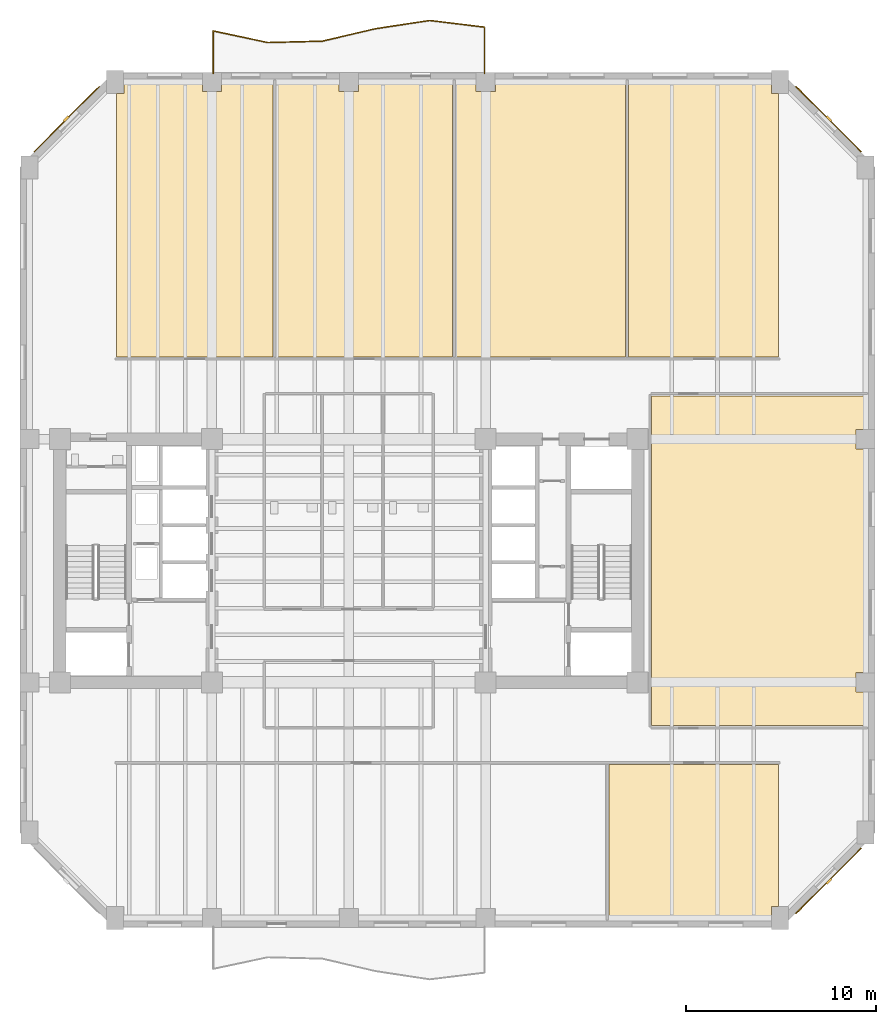
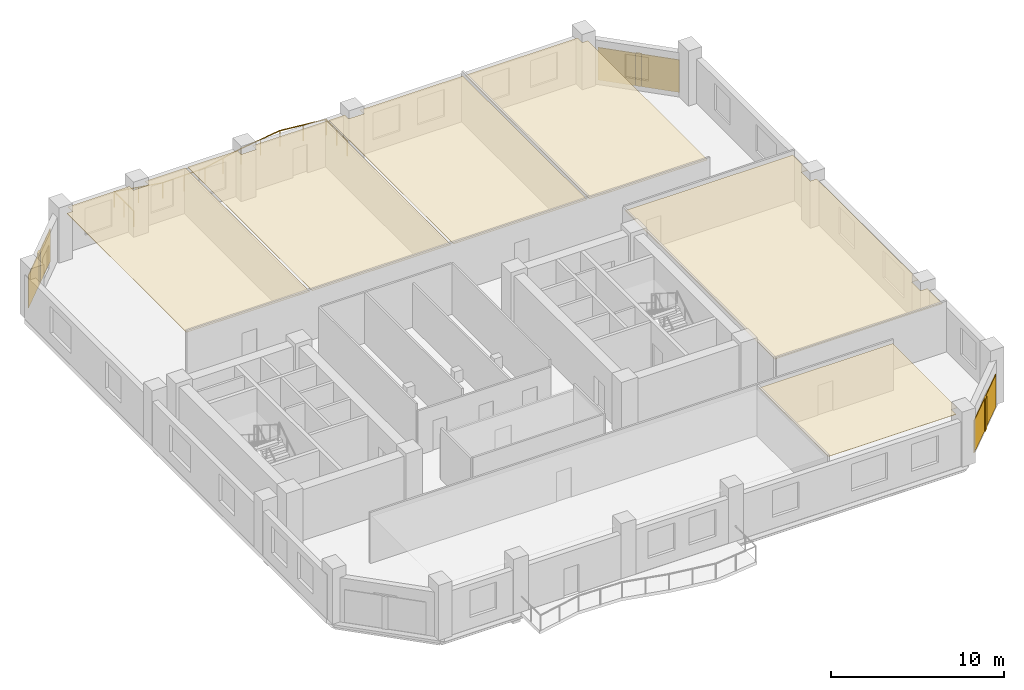
# One storey, part 8 of 9: 9 coverings, 3 shading devices, 1 railing.
"""IFC4 building model written with IfcOpenShell, lengths in metres."""

import ifcopenshell
import ifcopenshell.guid

model = None  # the IFC model being written
_history = None  # IfcOwnerHistory: only IFC2X3 demands one
_inside = {}  # id of a spatial element -> (the spatial element, [elements in it])
_under = {}  # id of a project, library or spatial element -> (it, [spatial elements below it])
_declared = {}  # id of a project -> (the project, [libraries it declares])
_typed = {}  # id of a type object -> (the type object, [elements of that type])
_made_of = {}  # id of a material, layer set ... -> (it, [elements and type objects made of it])


def new_model(schema):
    """Start an empty IFC model of exactly this schema.

    Asked for "IFC4X3", IfcOpenShell would pick the latest addendum, in which some entities
    have other attributes; the version numbers below select the first issue.
    IFC2X3 requires an IfcOwnerHistory on every rooted entity: one is made here for all.
    """
    global model, _history
    if schema == "IFC4X3":
        model = ifcopenshell.file(schema_version=(4, 3, 0, 0))
    else:
        model = ifcopenshell.file(schema=schema)
    _inside.clear()
    _under.clear()
    _declared.clear()
    _typed.clear()
    _made_of.clear()
    _history = None
    if model.schema == "IFC2X3":
        org = make("IfcOrganization", Name="unknown")
        user = make(
            "IfcPersonAndOrganization",
            ThePerson=make("IfcPerson", FamilyName="unknown"),
            TheOrganization=org,
        )
        app = make(
            "IfcApplication",
            ApplicationDeveloper=org,
            Version="unknown",
            ApplicationFullName="unknown",
            ApplicationIdentifier="unknown",
        )
        _history = make(
            "IfcOwnerHistory",
            OwningUser=user,
            OwningApplication=app,
            ChangeAction="ADDED",
            CreationDate=0,
        )
    return model


def make(cls, **values):
    """One entity of the class cls with the attributes given. An attribute that is None is left unset."""
    return model.create_entity(
        cls, **{name: value for name, value in values.items() if value is not None}
    )


def rooted(cls, **values):
    """An entity with a GlobalId (a new one), such as an element, a storey or a relation."""
    return make(cls, GlobalId=ifcopenshell.guid.new(), OwnerHistory=_history, **values)


def si_unit(unit_type, name, prefix=None):
    """IfcSIUnit, for example si_unit("LENGTHUNIT", "METRE", prefix="MILLI")."""
    return make("IfcSIUnit", UnitType=unit_type, Prefix=prefix, Name=name)


def assignment(units):
    """IfcUnitAssignment: the units of a project."""
    return None if units is None else make("IfcUnitAssignment", Units=units)


def point(xyz):
    """IfcCartesianPoint."""
    return None if xyz is None else make("IfcCartesianPoint", Coordinates=xyz)


def direction(xyz):
    """IfcDirection."""
    return None if xyz is None else make("IfcDirection", DirectionRatios=xyz)


def frame(location, z_axis=None, x_axis=None):
    """IfcAxis2Placement3D, a coordinate frame: its origin and axes. An axis left out is left unset."""
    return make(
        "IfcAxis2Placement3D",
        Location=point(location),
        Axis=direction(z_axis),
        RefDirection=direction(x_axis),
    )


def frame_2d(location, x_axis=None):
    """IfcAxis2Placement2D, a coordinate frame in the plane: its origin and x axis."""
    return make(
        "IfcAxis2Placement2D", Location=point(location), RefDirection=direction(x_axis)
    )


def origin():
    """The frame at (0, 0, 0) with its axes left unset."""
    return frame((0.0, 0.0, 0.0))


def origin_2d():
    """The frame at (0, 0) in the plane with its x axis left unset."""
    return frame_2d((0.0, 0.0))


def place(relative_to, where):
    """IfcLocalPlacement: puts the frame where relative to a parent placement (None: the world)."""
    return make(
        "IfcLocalPlacement", PlacementRelTo=relative_to, RelativePlacement=where
    )


def context(
    kind, dimensions, precision=None, world=None, true_north=None, identifier=None
):
    """IfcGeometricRepresentationContext, for example the 3D "Model" context."""
    return make(
        "IfcGeometricRepresentationContext",
        ContextIdentifier=identifier,
        ContextType=kind,
        CoordinateSpaceDimension=dimensions,
        Precision=precision,
        WorldCoordinateSystem=world,
        TrueNorth=true_north,
    )


def subcontext(parent, identifier, kind, view, scale=None):
    """IfcGeometricRepresentationSubContext, for example "Body" below "Model"."""
    return make(
        "IfcGeometricRepresentationSubContext",
        ContextIdentifier=identifier,
        ContextType=kind,
        ParentContext=parent,
        TargetScale=scale,
        TargetView=view,
    )


def project(units=None, contexts=None):
    """IfcProject with its units and contexts."""
    return rooted(
        "IfcProject",
        Name="project",
        RepresentationContexts=contexts,
        UnitsInContext=assignment(units),
    )


def spatial(cls, under=None, at=None, **own):
    """A site, building, storey or space (cls), placed at a placement, below another one or the project."""
    s = rooted(cls, ObjectPlacement=at, **own)
    if under is not None:
        _under.setdefault(under.id(), (under, []))[1].append(s)
    return s


def polyline(points):
    """IfcPolyline through the points."""
    return make("IfcPolyline", Points=[point(p) for p in points])


def profile(cls, at=None, kind="AREA", **sizes):
    """A parametric profile (cls). Its sizes go by their IFC names, for example OverallWidth=200.0."""
    return make(cls, ProfileType=kind, Position=at, **sizes)


def rectangle(**sizes):
    """IfcRectangleProfileDef."""
    return profile("IfcRectangleProfileDef", **sizes)


def circle(**sizes):
    """IfcCircleProfileDef."""
    return profile("IfcCircleProfileDef", **sizes)


def outline(outer, holes=None, kind="AREA"):
    """IfcArbitraryClosedProfileDef: a profile drawn as a closed curve; with holes, ...WithVoids."""
    if holes is None:
        return make("IfcArbitraryClosedProfileDef", ProfileType=kind, OuterCurve=outer)
    return make(
        "IfcArbitraryProfileDefWithVoids",
        ProfileType=kind,
        OuterCurve=outer,
        InnerCurves=holes,
    )


def extrude(swept, where, along, depth):
    """IfcExtrudedAreaSolid: the profile swept, set in the frame where, extruded along a direction by depth."""
    return make(
        "IfcExtrudedAreaSolid",
        SweptArea=swept,
        Position=where,
        ExtrudedDirection=direction(along),
        Depth=depth,
    )


def shape(context_of_items, identifier, shape_type, items):
    """IfcShapeRepresentation: the items that make up one representation, for example the "Body"."""
    return make(
        "IfcShapeRepresentation",
        ContextOfItems=context_of_items,
        RepresentationIdentifier=identifier,
        RepresentationType=shape_type,
        Items=items,
    )


def material(Name=None, Category=None):
    """IfcMaterial."""
    return make("IfcMaterial", Name=Name, Category=Category)


def layer(
    of_material, thickness, ventilated=None, Name=None, Category=None, Priority=None
):
    """IfcMaterialLayer: one layer of a wall or slab, of a material (None: an air gap)."""
    return make(
        "IfcMaterialLayer",
        Material=of_material,
        LayerThickness=thickness,
        IsVentilated=ventilated,
        Name=Name,
        Category=Category,
        Priority=Priority,
    )


def layer_set(layers, Name=None):
    """IfcMaterialLayerSet."""
    return make("IfcMaterialLayerSet", MaterialLayers=layers, LayerSetName=Name)


def made_of(thing, what):
    """Note that an element or type object is made of a material, layer set ...; save() writes the relation."""
    if what is not None:
        _made_of.setdefault(what.id(), (what, []))[1].append(thing)
    return thing


def type_object(cls, material=None, **own):
    """A type object (cls), such as IfcWallType, which elements share."""
    return made_of(rooted(cls, **own), material)


def element(
    cls,
    number,
    at=None,
    inside=None,
    cuts=None,
    type_object=None,
    material=None,
    context=None,
    identifier="Body",
    shape_type=None,
    held_by="IfcProductDefinitionShape",
    body=None,
    shapes=None,
    **own,
):
    """One element of the class cls, such as IfcWall. Its Tag is "e" and its number.

    at: its placement. inside: the storey or other place that contains it. cuts: it is an
    opening in that element (IfcRelVoidsElement). A single representation is given by context,
    identifier, shape_type and body (its items); several are given by shapes. held_by: the class
    of the entity that holds the representations. save() writes the other relations.
    """
    e = rooted(cls, Tag="e%d" % number, ObjectPlacement=at, **own)
    if body is not None:
        shapes = [shape(context, identifier, shape_type, body)]
    if shapes is not None:
        e.Representation = make(held_by, Representations=shapes)
    if inside is not None:
        _inside.setdefault(inside.id(), (inside, []))[1].append(e)
    if cuts is not None:
        rooted(
            "IfcRelVoidsElement", RelatingBuildingElement=cuts, RelatedOpeningElement=e
        )
    if type_object is not None:
        _typed.setdefault(type_object.id(), (type_object, []))[1].append(e)
    return made_of(e, material)


def aggregate(whole, parts):
    """IfcRelAggregates: a whole, such as a stair, and the parts it consists of."""
    return rooted("IfcRelAggregates", RelatingObject=whole, RelatedObjects=parts)


def save(model, path):
    """Write the relations noted so far, then the file.

    IfcRelAggregates (storeys below a building ...), IfcRelContainedInSpatialStructure (elements
    in a storey), IfcRelDefinesByType, IfcRelAssociatesMaterial and IfcRelDeclares: one each for
    every whole, place, type object, material and project.
    """
    for whole, parts in _under.values():
        aggregate(whole, parts)
    for where, things in _inside.values():
        rooted(
            "IfcRelContainedInSpatialStructure",
            RelatedElements=things,
            RelatingStructure=where,
        )
    for kind, things in _typed.values():
        rooted("IfcRelDefinesByType", RelatedObjects=things, RelatingType=kind)
    for what, things in _made_of.values():
        rooted("IfcRelAssociatesMaterial", RelatedObjects=things, RelatingMaterial=what)
    for by, libraries in _declared.values():
        rooted("IfcRelDeclares", RelatingContext=by, RelatedDefinitions=libraries)
    model.write(path)


model = new_model("IFC4")

# Units and contexts
model_context = context("Model", 3, precision=1e-05, world=origin(), true_north=direction((0.0, 1.0)))
body_context = subcontext(model_context, "Body", "Model", "MODEL_VIEW")
ifc_project = project(units=[si_unit("LENGTHUNIT", "METRE"), si_unit("AREAUNIT", "SQUARE_METRE"), si_unit("VOLUMEUNIT", "CUBIC_METRE"), si_unit("PLANEANGLEUNIT", "RADIAN"), si_unit("MASSUNIT", "GRAM", prefix="KILO")], contexts=[model_context])

# Site, building, storey
site_placement = place(None, origin())
site = spatial("IfcSite", under=ifc_project, at=site_placement, CompositionType="ELEMENT")
building_placement = place(site_placement, origin())
building = spatial("IfcBuilding", under=site, at=building_placement, Name="Kranthara Brick Stack", CompositionType="ELEMENT")
storey_placement = place(building_placement, frame((0.0, 0.0, 78.89990234375)))
storey = spatial("IfcBuildingStorey", under=building, at=storey_placement, Name="L19", CompositionType="ELEMENT", Elevation=78.89990234375)

# Coverings
ifc_material_1 = material(Name="Perforated mineral-fibre acoustic ceiling tile", Category="other")
ifc_layer_1 = layer(ifc_material_1, 0.02490234375)
ifc_layer_set_1 = layer_set([ifc_layer_1], Name="Perforated mineral-fibre acoustic ceiling tile")
covering_type_1 = type_object("IfcCoveringType", Name="COV-CEIL-ACOUSTIC", PredefinedType="CEILING", material=ifc_layer_set_1)
covering_1_placement = place(storey_placement, frame((0.0, 0.0, 3.330078125)))
element("IfcCovering", 1, at=covering_1_placement, inside=storey, type_object=covering_type_1, Name="L19 L19 Staff Pantry 2 Acoustic Ceiling", PredefinedType="CEILING", context=body_context, shape_type="SweptSolid", body=[
    extrude(outline(polyline([(41.679931640625, 8.469970703125), (41.679931640625, 16.47998046875), (50.6201171875, 16.47998046875), (50.6201171875, 9.010009765625), (50.239990234375, 9.010009765625), (50.239990234375, 8.469970703125), (41.679931640625, 8.469970703125)])), origin(), (0.0, 0.0, 1.0), 0.02490234375),
])
covering_2_placement = place(storey_placement, frame((0.0, 0.0, 3.330078125)))
element("IfcCovering", 2, at=covering_2_placement, inside=storey, type_object=covering_type_1, Name="L19 L19 Executive Cellular Office 1 Acoustic Ceiling", PredefinedType="CEILING", context=body_context, shape_type="SweptSolid", body=[
    extrude(outline(polyline([(24.02001953125, 37.919921875), (15.780029296875, 37.919921875), (15.780029296875, 51.7900390625), (16.159912109375, 51.7900390625), (16.159912109375, 52.330078125), (20.2900390625, 52.330078125), (20.2900390625, 51.889892578125), (21.31005859375, 51.889892578125), (21.31005859375, 52.330078125), (24.02001953125, 52.330078125), (24.02001953125, 37.919921875)])), origin(), (0.0, 0.0, 1.0), 0.02490234375),
])
covering_3_placement = place(storey_placement, frame((0.0, 0.0, 3.330078125)))
element("IfcCovering", 3, at=covering_3_placement, inside=storey, type_object=covering_type_1, Name="L19 L19 Meeting Room 2 Acoustic Ceiling", PredefinedType="CEILING", context=body_context, shape_type="SweptSolid", body=[
    extrude(outline(polyline([(33.469970703125, 52.330078125), (33.469970703125, 37.919921875), (24.179931640625, 37.919921875), (24.179931640625, 52.330078125), (27.489990234375, 52.330078125), (27.489990234375, 51.889892578125), (28.510009765625, 51.889892578125), (28.510009765625, 52.330078125), (33.469970703125, 52.330078125)])), origin(), (0.0, 0.0, 1.0), 0.02490234375),
])
covering_4_placement = place(storey_placement, frame((0.0, 0.0, 3.330078125)))
element("IfcCovering", 4, at=covering_4_placement, inside=storey, type_object=covering_type_1, Name="L19 L19 Boardroom 3 Acoustic Ceiling", PredefinedType="CEILING", context=body_context, shape_type="SweptSolid", body=[
    extrude(outline(polyline([(42.570068359375, 52.330078125), (42.570068359375, 37.919921875), (33.6298828125, 37.919921875), (33.6298828125, 52.330078125), (34.68994140625, 52.330078125), (34.68994140625, 51.889892578125), (35.7099609375, 51.889892578125), (35.7099609375, 52.330078125), (42.570068359375, 52.330078125)])), origin(), (0.0, 0.0, 1.0), 0.02490234375),
])
covering_5_placement = place(storey_placement, frame((0.0, 0.0, 3.330078125)))
element("IfcCovering", 5, at=covering_5_placement, inside=storey, type_object=covering_type_1, Name="L19 L19 Collaboration Lounge 4 Acoustic Ceiling", PredefinedType="CEILING", context=body_context, shape_type="SweptSolid", body=[
    extrude(outline(polyline([(50.6201171875, 37.919921875), (42.72998046875, 37.919921875), (42.72998046875, 52.330078125), (50.239990234375, 52.330078125), (50.239990234375, 51.7900390625), (50.6201171875, 51.7900390625), (50.6201171875, 37.919921875)])), origin(), (0.0, 0.0, 1.0), 0.02490234375),
])
covering_6_placement = place(storey_placement, frame((0.0, 0.0, 3.330078125)))
element("IfcCovering", 6, at=covering_6_placement, inside=storey, type_object=covering_type_1, Name="L19 L19 East Client Office 1 Acoustic Ceiling", PredefinedType="CEILING", context=body_context, shape_type="SweptSolid", body=[
    extrude(outline(polyline([(43.919921875, 18.5400390625), (43.919921875, 35.860107421875), (55.1298828125, 35.860107421875), (55.1298828125, 34.110107421875), (54.68994140625, 34.110107421875), (54.68994140625, 33.090087890625), (55.1298828125, 33.090087890625), (55.1298828125, 21.31005859375), (54.68994140625, 21.31005859375), (54.68994140625, 20.2900390625), (55.1298828125, 20.2900390625), (55.1298828125, 18.5400390625), (43.919921875, 18.5400390625)])), origin(), (0.0, 0.0, 1.0), 0.02490234375),
])
ifc_material_2 = material(Name="Warm buff kiln-fired brick slip rainscreen", Category="masonry")
ifc_layer_2 = layer(ifc_material_2, 0.044921875)
ifc_layer_set_2 = layer_set([ifc_layer_2], Name="Warm buff kiln-fired brick slip rainscreen")
covering_type_2 = type_object("IfcCoveringType", Name="COV-CLAD-BRICK", PredefinedType="CLADDING", material=ifc_layer_set_2)
for number, where, z_axis, x_axis, name in (
    (7, (13.156494140625, 50.443603515625, 0.05029296875), (0.0, 0.0, 1.0), (0.707106781187, 0.707106781187, 0.0), "L19 Chamfer Brick Rainscreen Cladding NW"),
    (8, (53.243408203125, 50.443603515625, 0.05029296875), (0.0, 0.0, 1.0), (0.707106781187, -0.707106781187, 0.0), "L19 Chamfer Brick Rainscreen Cladding NE"),
    (9, (53.243408203125, 10.3564453125, 0.05029296875), (0.0, 0.0, 1.0), (-0.707106781187, -0.707106781187, 0.0), "L19 Chamfer Brick Rainscreen Cladding SE"),
):
    element("IfcCovering", number, at=place(storey_placement, frame(where, z_axis=z_axis, x_axis=x_axis)), inside=storey, type_object=covering_type_2, Name=name, PredefinedType="CLADDING", context=body_context, shape_type="SweptSolid", body=[
        extrude(rectangle(XDim=4.876953125, YDim=0.044921875, at=origin_2d()), origin(), (0.0, 0.0, 1.0), 2.300048828125),
    ])

# Railing
ifc_material_3 = material(Name="Bronze anodised aluminium and laminated glass balustrade", Category="aluminium")
railing_type = type_object("IfcRailingType", Name="RL-BALC-1120", PredefinedType="BALUSTRADE", material=ifc_material_3)
railing_placement = place(storey_placement, frame((20.860107421875, 52.840087890625, 0.0)))
element("IfcRailing", 10, at=railing_placement, inside=storey, type_object=railing_type, Name="L19 North Rippling Balcony Balustrade", PredefinedType="BALUSTRADE", context=body_context, shape_type="SweptSolid", body=[
    extrude(circle(Radius=0.02392578125, at=origin_2d()), frame((0.0, 0.0, 1.09619140625), z_axis=(-0.000108731107, 0.999999994089, 0.0), x_axis=(-0.999999994089, -0.000108731107, 0.0)), (0.0, 0.0, 1.0), 2.245361328125),
    extrude(circle(Radius=0.02392578125, at=origin_2d()), frame((-0.000244140625, 2.245361328125, 1.09619140625), z_axis=(0.978105928985, -0.208107644465, 0.0), x_axis=(0.208107644465, 0.978105928985, 0.0)), (0.0, 0.0, 1.0), 2.944580078125),
    extrude(circle(Radius=0.02392578125, at=origin_2d()), frame((2.8798828125, 1.632568359375, 1.09619140625), z_axis=(0.999661558915, 0.02601475787, 0.0), x_axis=(-0.02601475787, 0.999661558915, 0.0)), (0.0, 0.0, 1.0), 2.881103515625),
    extrude(circle(Radius=0.02392578125, at=origin_2d()), frame((5.760009765625, 1.70751953125, 1.09619140625), z_axis=(0.973453213745, 0.228886086621, 0.0), x_axis=(-0.228886086621, 0.973453213745, 0.0)), (0.0, 0.0, 1.0), 2.841552734375),
    extrude(circle(Radius=0.02392578125, at=origin_2d()), frame((8.526123046875, 2.35791015625, 1.09619140625), z_axis=(0.988711736474, 0.14983024447, 0.0), x_axis=(-0.14983024447, 0.988711736474, 0.0)), (0.0, 0.0, 1.0), 2.908447265625),
    extrude(circle(Radius=0.02392578125, at=origin_2d()), frame((11.40185546875, 2.793701171875, 1.09619140625), z_axis=(0.99262365311, -0.121236476716, 0.0), x_axis=(0.121236476716, 0.99262365311, 0.0)), (0.0, 0.0, 1.0), 2.89990234375),
    extrude(circle(Radius=0.02392578125, at=origin_2d()), frame((14.2802734375, 2.442138671875, 1.09619140625), z_axis=(-0.000199940014, -0.999999980012, 0.0), x_axis=(0.999999980012, -0.000199940014, 0.0)), (0.0, 0.0, 1.0), 2.442138671875),
    extrude(circle(Radius=0.02099609375, at=origin_2d()), origin(), (0.0, 0.0, 1.0), 1.072021484375),
    extrude(circle(Radius=0.02099609375, at=origin_2d()), frame((0.0, 1.12255859375, 0.0)), (0.0, 0.0, 1.0), 1.072021484375),
    extrude(circle(Radius=0.02099609375, at=origin_2d()), frame((-0.000244140625, 2.245361328125, 0.0)), (0.0, 0.0, 1.0), 1.072021484375),
    extrude(circle(Radius=0.02099609375, at=origin_2d()), frame((1.43994140625, 1.93896484375, 0.0)), (0.0, 0.0, 1.0), 1.072021484375),
    extrude(circle(Radius=0.02099609375, at=origin_2d()), frame((2.8798828125, 1.632568359375, 0.0)), (0.0, 0.0, 1.0), 1.072021484375),
    extrude(circle(Radius=0.02099609375, at=origin_2d()), frame((4.31982421875, 1.669921875, 0.0)), (0.0, 0.0, 1.0), 1.072021484375),
    extrude(circle(Radius=0.02099609375, at=origin_2d()), frame((5.760009765625, 1.70751953125, 0.0)), (0.0, 0.0, 1.0), 1.072021484375),
    extrude(circle(Radius=0.02099609375, at=origin_2d()), frame((7.14306640625, 2.03271484375, 0.0)), (0.0, 0.0, 1.0), 1.072021484375),
    extrude(circle(Radius=0.02099609375, at=origin_2d()), frame((8.526123046875, 2.35791015625, 0.0)), (0.0, 0.0, 1.0), 1.072021484375),
    extrude(circle(Radius=0.02099609375, at=origin_2d()), frame((9.9638671875, 2.57568359375, 0.0)), (0.0, 0.0, 1.0), 1.072021484375),
    extrude(circle(Radius=0.02099609375, at=origin_2d()), frame((11.40185546875, 2.793701171875, 0.0)), (0.0, 0.0, 1.0), 1.072021484375),
    extrude(circle(Radius=0.02099609375, at=origin_2d()), frame((12.841064453125, 2.617919921875, 0.0)), (0.0, 0.0, 1.0), 1.072021484375),
    extrude(circle(Radius=0.02099609375, at=origin_2d()), frame((14.2802734375, 2.442138671875, 0.0)), (0.0, 0.0, 1.0), 1.072021484375),
    extrude(circle(Radius=0.02099609375, at=origin_2d()), frame((14.280029296875, 1.22119140625, 0.0)), (0.0, 0.0, 1.0), 1.072021484375),
    extrude(circle(Radius=0.02099609375, at=origin_2d()), frame((14.27978515625, 0.0, 0.0)), (0.0, 0.0, 1.0), 1.072021484375),
])

# Shading devices
ifc_material_4 = material(Name="Kiln-fired terracotta aerodynamic wind fin", Category="masonry")
shading_device_type = type_object("IfcShadingDeviceType", Name="SHD-BAFFLE-CORNER", PredefinedType="SHUTTER", material=ifc_material_4)
for number, where, z_axis, x_axis, name in (
    (11, (13.13525390625, 50.464599609375, 0.05029296875), (0.0, 0.0, 1.0), (0.707106781187, 0.707106781187, 0.0), "L19 Chamfer Wind-Baffle Fin NW"),
    (12, (53.2646484375, 50.464599609375, 0.05029296875), (0.0, 0.0, 1.0), (0.707106781187, -0.707106781187, 0.0), "L19 Chamfer Wind-Baffle Fin NE"),
    (13, (53.2646484375, 10.335205078125, 0.05029296875), (0.0, 0.0, 1.0), (-0.707106781187, -0.707106781187, 0.0), "L19 Chamfer Wind-Baffle Fin SE"),
):
    element("IfcShadingDevice", number, at=place(storey_placement, frame(where, z_axis=z_axis, x_axis=x_axis)), inside=storey, type_object=shading_device_type, Name=name, PredefinedType="SHUTTER", context=body_context, shape_type="SweptSolid", body=[
        extrude(rectangle(XDim=0.35009765625, YDim=0.1201171875, at=origin_2d()), origin(), (0.0, 0.0, 1.0), 2.300048828125),
    ])

save(model, "model.ifc")
